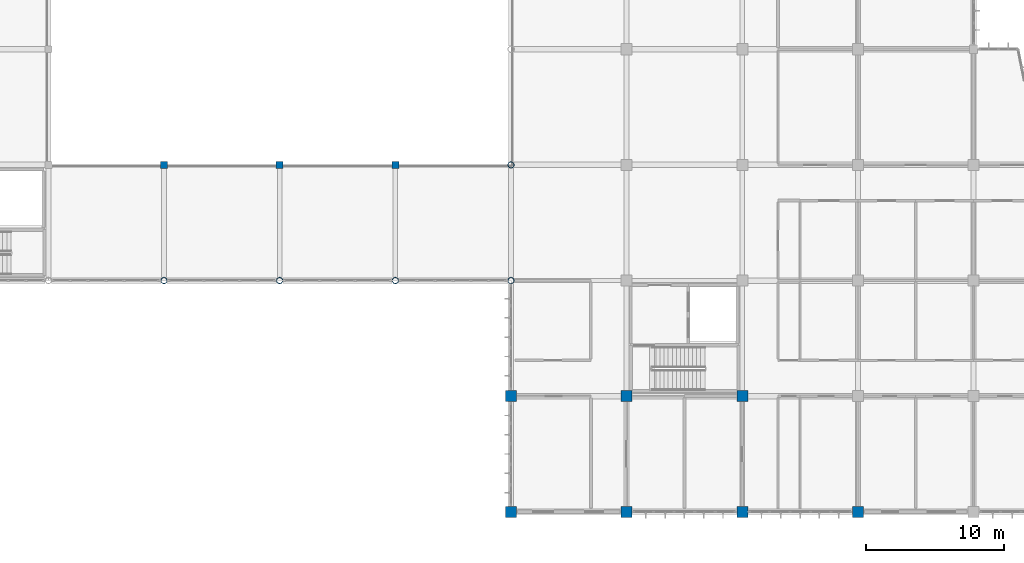
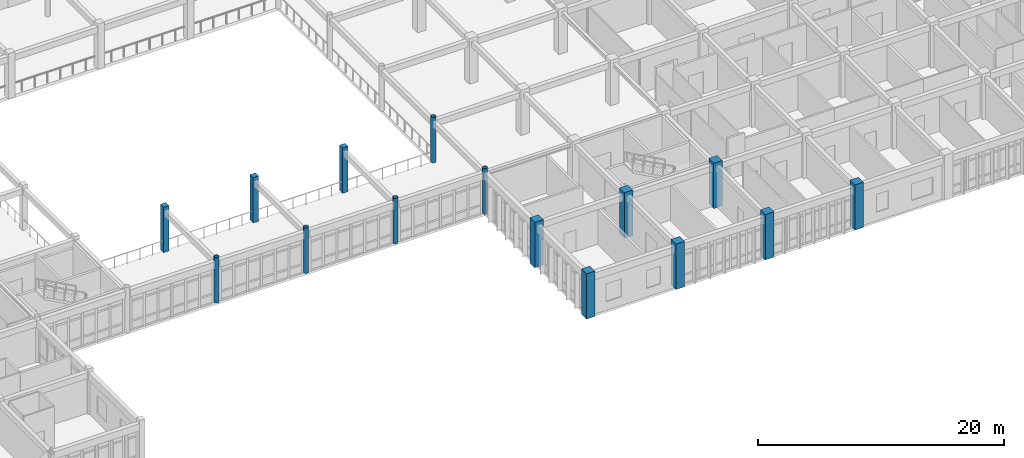
# One storey, part 5 of 144: 15 columns.
"""IFC4 building model written with IfcOpenShell, lengths in metres."""

from ifc_helpers import new_model, si_unit, direction, frame, origin, origin_2d, place, context, subcontext, project, spatial, rectangle, hollow_circle, extrude, material, material_profile, profile_set, type_object, element, save


model = new_model("IFC4")

# Units and contexts
model_context = context("Model", 3, precision=1e-05, world=origin(), true_north=direction((0.0, 1.0)))
body_context = subcontext(model_context, "Body", "Model", "MODEL_VIEW")
ifc_project = project(units=[si_unit("LENGTHUNIT", "METRE"), si_unit("AREAUNIT", "SQUARE_METRE"), si_unit("VOLUMEUNIT", "CUBIC_METRE"), si_unit("PLANEANGLEUNIT", "RADIAN"), si_unit("MASSUNIT", "GRAM", prefix="KILO")], contexts=[model_context])

# Site, building, storey
site_placement = place(None, origin())
site = spatial("IfcSite", under=ifc_project, at=site_placement, CompositionType="ELEMENT")
building_placement = place(site_placement, origin())
building = spatial("IfcBuilding", under=site, at=building_placement, Name="Bramfleet General Hospital", CompositionType="ELEMENT")
storey_placement = place(building_placement, frame((0.0, 0.0, 4.800048828125)))
storey = spatial("IfcBuildingStorey", under=building, at=storey_placement, Name="L01", CompositionType="ELEMENT", Elevation=4.800048828125)

# Columns
ifc_material_1 = material(Name="Steel S355", Category="steel")
ifc_material_profile_1 = material_profile(ifc_material_1, hollow_circle(Radius=0.228515625, WallThickness=0.02001953125, at=origin_2d()), Name="CHS 457.0x20.0")
ifc_profile_set_1 = profile_set([ifc_material_profile_1], Name="Steel S355")
column_type_1 = type_object("IfcColumnType", Name="COL-CHS457", PredefinedType="COLUMN", material=ifc_profile_set_1)
for number, where, z_axis, x_axis, name in (
    (1, (67.199951171875, 16.800048828125, 0.0), (0.0, 0.0, 1.0), (1.0, 0.0, 0.0), "Column COL-L01-08-02"),
    (2, (75.60009765625, 16.800048828125, 0.0), (0.0, 0.0, 1.0), (1.0, 0.0, 0.0), "Column COL-L01-09-02"),
    (3, (84.0, 16.800048828125, 0.0), (0.0, 0.0, 1.0), (1.0, 0.0, 0.0), "Column COL-L01-10-02"),
    (4, (92.39990234375, 16.800048828125, 0.0), (0.0, 0.0, 1.0), (1.0, 0.0, 0.0), "Column COL-L01-11-02"),
    (5, (92.39990234375, 25.199951171875, 0.0), (0.0, 0.0, 1.0), (1.0, 0.0, 0.0), "Column COL-L01-11-03"),
):
    element("IfcColumn", number, at=place(storey_placement, frame(where, z_axis=z_axis, x_axis=x_axis)), inside=storey, type_object=column_type_1, Name=name, PredefinedType="COLUMN", context=body_context, shape_type="SweptSolid", body=[
        extrude(hollow_circle(Radius=0.228515625, WallThickness=0.02001953125, at=origin_2d()), origin(), (0.0, 0.0, 1.0), 4.5),
    ])
ifc_material_2 = material(Name="Concrete C40/50", Category="concrete")
ifc_material_profile_2 = material_profile(ifc_material_2, rectangle(XDim=0.5, YDim=0.5, at=origin_2d()), Name="RC COL 500x500")
ifc_profile_set_2 = profile_set([ifc_material_profile_2], Name="Concrete C40/50")
column_type_2 = type_object("IfcColumnType", Name="COL-RC500", PredefinedType="COLUMN", material=ifc_profile_set_2)
for number, where, z_axis, x_axis, name in (
    (6, (67.199951171875, 25.199951171875, 0.0), (0.0, 0.0, 1.0), (1.0, 0.0, 0.0), "Column COL-L01-08-03"),
    (7, (75.60009765625, 25.199951171875, 0.0), (0.0, 0.0, 1.0), (1.0, 0.0, 0.0), "Column COL-L01-09-03"),
    (8, (84.0, 25.199951171875, 0.0), (0.0, 0.0, 1.0), (1.0, 0.0, 0.0), "Column COL-L01-10-03"),
):
    element("IfcColumn", number, at=place(storey_placement, frame(where, z_axis=z_axis, x_axis=x_axis)), inside=storey, type_object=column_type_2, Name=name, PredefinedType="COLUMN", context=body_context, shape_type="SweptSolid", body=[
        extrude(rectangle(XDim=0.5, YDim=0.5, at=origin_2d()), origin(), (0.0, 0.0, 1.0), 4.5),
    ])
ifc_material_profile_3 = material_profile(ifc_material_2, rectangle(XDim=0.800048828125, YDim=0.800048828125, at=origin_2d()), Name="RC COL 800x800")
ifc_profile_set_3 = profile_set([ifc_material_profile_3], Name="Concrete C40/50")
column_type_3 = type_object("IfcColumnType", Name="COL-RC800", PredefinedType="COLUMN", material=ifc_profile_set_3)
for number, where, z_axis, x_axis, name in (
    (9, (92.39990234375, 0.0, 0.0), (0.0, 0.0, 1.0), (1.0, 0.0, 0.0), "Column COL-L01-11-00"),
    (10, (92.39990234375, 8.39990234375, 0.0), (0.0, 0.0, 1.0), (1.0, 0.0, 0.0), "Column COL-L01-11-01"),
    (11, (100.800048828125, 0.0, 0.0), (0.0, 0.0, 1.0), (1.0, 0.0, 0.0), "Column COL-L01-12-00"),
    (12, (100.800048828125, 8.39990234375, 0.0), (0.0, 0.0, 1.0), (1.0, 0.0, 0.0), "Column COL-L01-12-01"),
    (13, (109.199951171875, 0.0, 0.0), (0.0, 0.0, 1.0), (1.0, 0.0, 0.0), "Column COL-L01-13-00"),
    (14, (109.199951171875, 8.39990234375, 0.0), (0.0, 0.0, 1.0), (1.0, 0.0, 0.0), "Column COL-L01-13-01"),
    (15, (117.60009765625, 0.0, 0.0), (0.0, 0.0, 1.0), (1.0, 0.0, 0.0), "Column COL-L01-14-00"),
):
    element("IfcColumn", number, at=place(storey_placement, frame(where, z_axis=z_axis, x_axis=x_axis)), inside=storey, type_object=column_type_3, Name=name, PredefinedType="COLUMN", context=body_context, shape_type="SweptSolid", body=[
        extrude(rectangle(XDim=0.800048828125, YDim=0.800048828125, at=origin_2d()), origin(), (0.0, 0.0, 1.0), 4.5),
    ])

save(model, "model.ifc")
